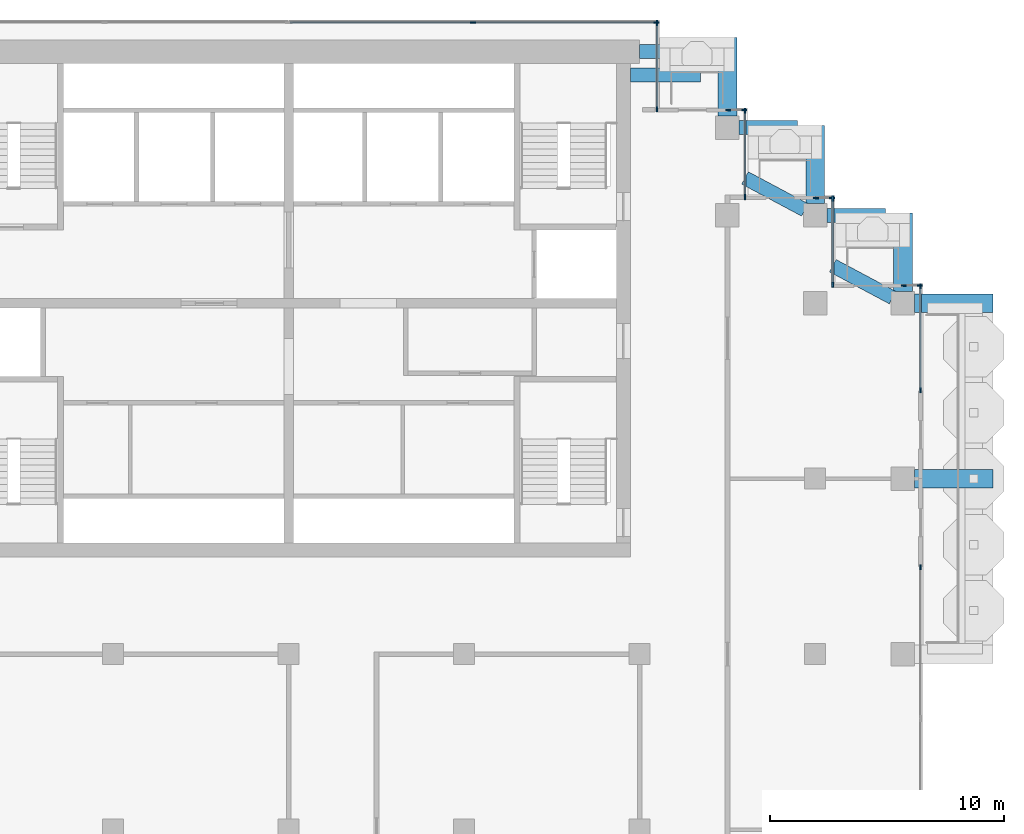
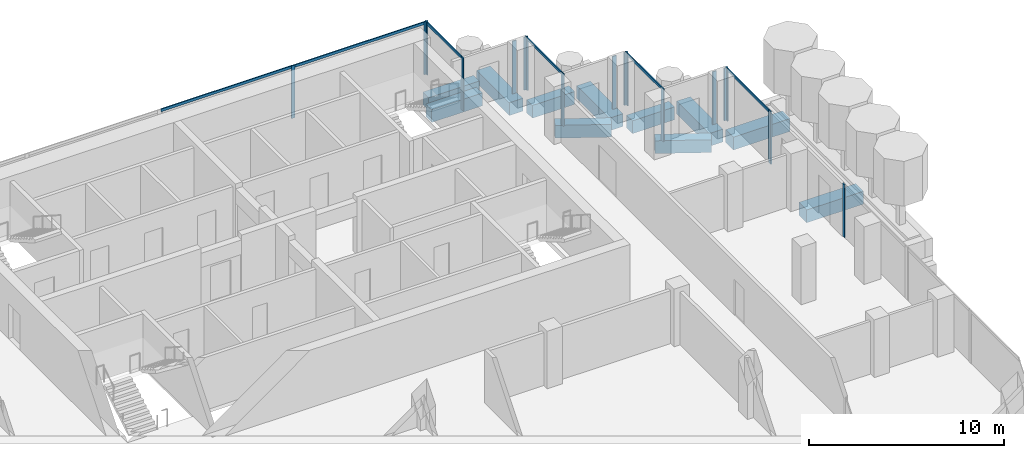
# One storey, part 6 of 18: 23 members, 11 beams, 9 elements without a shape of their own.
"""IFC4 building model written with IfcOpenShell, lengths in metres."""

from ifc_helpers import new_model, si_unit, direction, frame, origin, origin_2d, place, context, subcontext, project, spatial, rectangle, extrude, material, material_profile, profile_set, type_object, element, aggregate, save


model = new_model("IFC4")

# Units and contexts
model_context = context("Model", 3, precision=1e-05, world=origin(), true_north=direction((0.0, 1.0)))
body_context = subcontext(model_context, "Body", "Model", "MODEL_VIEW")
ifc_project = project(units=[si_unit("LENGTHUNIT", "METRE"), si_unit("AREAUNIT", "SQUARE_METRE"), si_unit("VOLUMEUNIT", "CUBIC_METRE"), si_unit("PLANEANGLEUNIT", "RADIAN"), si_unit("MASSUNIT", "GRAM", prefix="KILO")], contexts=[model_context])

# Site, building, storey
site_placement = place(None, origin())
site = spatial("IfcSite", under=ifc_project, at=site_placement, CompositionType="ELEMENT")
building_placement = place(site_placement, origin())
building = spatial("IfcBuilding", under=site, at=building_placement, Name="Pilkhan Gate Tower", CompositionType="ELEMENT")
storey_placement = place(building_placement, frame((0.0, 0.0, 210.300048828125)))
storey = spatial("IfcBuildingStorey", under=building, at=storey_placement, Name="L54", CompositionType="ELEMENT", Elevation=210.300048828125)

# Beams
ifc_material_1 = material(Name="Concrete C50/60", Category="concrete")
ifc_material_profile_1 = material_profile(ifc_material_1, rectangle(XDim=0.60009765625, YDim=0.800048828125, at=origin_2d()), Name="RC 600x800")
ifc_profile_set_1 = profile_set([ifc_material_profile_1], Name="Concrete C50/60")
beam_type_1 = type_object("IfcBeamType", Name="Cantilever beam CB1 RC 600x800 C50/60", PredefinedType="BEAM", material=ifc_profile_set_1)
for number, where, z_axis, x_axis, name in (
    (1, (90.0, 93.25, -0.699951171875), (1.0, 0.0, 0.0), (0.0, 1.0, 0.0), "Balcony beam NE.2 L54"),
    (2, (89.60009765625, 92.25, -0.699951171875), (1.0, 0.0, 0.0), (0.0, 1.0, 0.0), "Balcony beam NE.3 L54"),
):
    element("IfcBeam", number, at=place(storey_placement, frame(where, z_axis=z_axis, x_axis=x_axis)), inside=storey, type_object=beam_type_1, Name=name, PredefinedType="BEAM", context=body_context, shape_type="SweptSolid", body=[
        extrude(rectangle(XDim=0.60009765625, YDim=0.800048828125, at=origin_2d()), origin(), (0.0, 0.0, 1.0), 3.0),
    ])
beam_1_placement = place(storey_placement, frame((94.25, 90.0, -0.699951171875), z_axis=(1.0, 0.0, 0.0), x_axis=(0.0, 1.0, 0.0)))
element("IfcBeam", 3, at=beam_1_placement, inside=storey, type_object=beam_type_1, Name="Balcony beam NE1.2 L54", PredefinedType="BEAM", context=body_context, shape_type="SweptSolid", body=[
    extrude(rectangle(XDim=0.60009765625, YDim=0.800048828125, at=origin_2d()), origin(), (0.0, 0.0, 1.0), 2.5),
])
beam_2_placement = place(storey_placement, frame((97.058837890625, 86.4853515625, -0.699951171875), z_axis=(-0.882348280344, 0.470596974251, 0.0), x_axis=(-0.470596974251, -0.882348280344, 0.0)))
element("IfcBeam", 4, at=beam_2_placement, inside=storey, type_object=beam_type_1, Name="Balcony beam NE1.3 L54", PredefinedType="BEAM", context=body_context, shape_type="SweptSolid", body=[
    extrude(rectangle(XDim=0.60009765625, YDim=0.800048828125, at=origin_2d()), origin(), (0.0, 0.0, 1.0), 2.900146484375),
])
beam_3_placement = place(storey_placement, frame((98.0, 86.25, -0.699951171875), z_axis=(1.0, 0.0, 0.0), x_axis=(0.0, 1.0, 0.0)))
element("IfcBeam", 5, at=beam_3_placement, inside=storey, type_object=beam_type_1, Name="Balcony beam NE2.2 L54", PredefinedType="BEAM", context=body_context, shape_type="SweptSolid", body=[
    extrude(rectangle(XDim=0.60009765625, YDim=0.800048828125, at=origin_2d()), origin(), (0.0, 0.0, 1.0), 2.5),
])
beam_4_placement = place(storey_placement, frame((100.808837890625, 82.7353515625, -0.699951171875), z_axis=(-0.882348280344, 0.470596974251, 0.0), x_axis=(-0.470596974251, -0.882348280344, 0.0)))
element("IfcBeam", 6, at=beam_4_placement, inside=storey, type_object=beam_type_1, Name="Balcony beam NE2.3 L54", PredefinedType="BEAM", context=body_context, shape_type="SweptSolid", body=[
    extrude(rectangle(XDim=0.60009765625, YDim=0.800048828125, at=origin_2d()), origin(), (0.0, 0.0, 1.0), 2.900146484375),
])
ifc_material_profile_2 = material_profile(ifc_material_1, rectangle(XDim=0.800048828125, YDim=0.800048828125, at=origin_2d()), Name="RC 800x800")
ifc_profile_set_2 = profile_set([ifc_material_profile_2], Name="Concrete C50/60")
beam_type_2 = type_object("IfcBeamType", Name="Cantilever beam CB2 RC 800x800 C50/60", PredefinedType="BEAM", material=ifc_profile_set_2)
for number, where, z_axis, x_axis, name in (
    (7, (101.75, 75.0, -0.699951171875), (1.0, 0.0, 0.0), (0.0, 1.0, 0.0), "Balcony beam E.2 L54"),
    (8, (101.75, 82.5, -0.699951171875), (1.0, 0.0, 0.0), (0.0, 1.0, 0.0), "Balcony beam E.3 L54"),
    (9, (93.75, 90.5, -0.699951171875), (0.0, 1.0, 0.0), (-1.0, 0.0, 0.0), "Balcony beam NE.1 L54"),
    (10, (97.5, 86.75, -0.699951171875), (0.0, 1.0, 0.0), (-1.0, 0.0, 0.0), "Balcony beam NE1.1 L54"),
    (11, (101.25, 83.0, -0.699951171875), (0.0, 1.0, 0.0), (-1.0, 0.0, 0.0), "Balcony beam NE2.1 L54"),
):
    element("IfcBeam", number, at=place(storey_placement, frame(where, z_axis=z_axis, x_axis=x_axis)), inside=storey, type_object=beam_type_2, Name=name, PredefinedType="BEAM", context=body_context, shape_type="SweptSolid", body=[
        extrude(rectangle(XDim=0.800048828125, YDim=0.800048828125, at=origin_2d()), origin(), (0.0, 0.0, 1.0), 3.35009765625),
    ])

# Curtain wall, member
ifc_material_2 = material(Name="Pale anodised aluminium, clear low-iron double glazing", Category="aluminium")
curtain_wall_type = type_object("IfcCurtainWallType", Name="Office unitised curtain wall CW-O2", PredefinedType="USERDEFINED", material=ifc_material_2)
curtain_wall_1_placement = place(storey_placement, origin())
curtain_wall_1 = element("IfcCurtainWall", 12, at=curtain_wall_1_placement, inside=storey, type_object=curtain_wall_type, Name="Office unitised curtain wall CW-O2 L54 E", ObjectType="UNITISED CURTAIN WALL", PredefinedType="USERDEFINED")
ifc_material_3 = material(Name="Pale anodised aluminium", Category="aluminium")
ifc_material_profile_3 = material_profile(ifc_material_3, rectangle(XDim=0.06494140625, YDim=0.22509765625, at=origin_2d()), Name="Mullion 225x65")
ifc_profile_set_3 = profile_set([ifc_material_profile_3], Name="Pale anodised aluminium")
member_type_1 = type_object("IfcMemberType", Name="Mullion CW-O2 225x65", PredefinedType="MULLION", material=ifc_profile_set_3)
member_1_placement = place(storey_placement, frame((102.0, 71.217529296875, 0.0), z_axis=(0.0, 0.0, 1.0), x_axis=(-1.0, 0.0, 0.0)))
member_1 = element("IfcMember", 13, at=member_1_placement, type_object=member_type_1, Name="CW-O2 mullion 2", PredefinedType="MULLION", context=body_context, shape_type="SweptSolid", body=[
    extrude(rectangle(XDim=0.06494140625, YDim=0.22509765625, at=origin_2d()), origin(), (0.0, 0.0, 1.0), 3.300048828125),
])
aggregate(curtain_wall_1, [member_1])

# Curtain wall, members
curtain_wall_2_placement = place(storey_placement, origin())
curtain_wall_2 = element("IfcCurtainWall", 14, at=curtain_wall_2_placement, inside=storey, type_object=curtain_wall_type, Name="Office unitised curtain wall CW-O2 L54 E", ObjectType="UNITISED CURTAIN WALL", PredefinedType="USERDEFINED")
member_2_placement = place(storey_placement, frame((102.0, 78.782470703125, 0.0), z_axis=(0.0, 0.0, 1.0), x_axis=(-1.0, 0.0, 0.0)))
member_2 = element("IfcMember", 15, at=member_2_placement, type_object=member_type_1, Name="CW-O2 mullion 1", PredefinedType="MULLION", context=body_context, shape_type="SweptSolid", body=[
    extrude(rectangle(XDim=0.06494140625, YDim=0.22509765625, at=origin_2d()), origin(), (0.0, 0.0, 1.0), 3.300048828125),
])
member_3_placement = place(storey_placement, frame((102.0, 83.217529296875, 0.0), z_axis=(0.0, 0.0, 1.0), x_axis=(-1.0, 0.0, 0.0)))
member_3 = element("IfcMember", 16, at=member_3_placement, type_object=member_type_1, Name="CW-O2 mullion 2", PredefinedType="MULLION", context=body_context, shape_type="SweptSolid", body=[
    extrude(rectangle(XDim=0.06494140625, YDim=0.22509765625, at=origin_2d()), origin(), (0.0, 0.0, 1.0), 3.300048828125),
])

curtain_wall_3_placement = place(storey_placement, origin())
curtain_wall_3 = element("IfcCurtainWall", 17, at=curtain_wall_3_placement, inside=storey, type_object=curtain_wall_type, Name="Office unitised curtain wall CW-O2 L54 N", ObjectType="UNITISED CURTAIN WALL", PredefinedType="USERDEFINED")
member_4_placement = place(storey_placement, frame((101.282470703125, 83.25, 0.0), z_axis=(0.0, 0.0, 1.0), x_axis=(0.0, 1.0, 0.0)))
member_4 = element("IfcMember", 18, at=member_4_placement, type_object=member_type_1, Name="CW-O2 mullion 1", PredefinedType="MULLION", context=body_context, shape_type="SweptSolid", body=[
    extrude(rectangle(XDim=0.06494140625, YDim=0.22509765625, at=origin_2d()), origin(), (0.0, 0.0, 1.0), 3.300048828125),
])
member_5_placement = place(storey_placement, frame((101.967529296875, 83.25, 0.0), z_axis=(0.0, 0.0, 1.0), x_axis=(0.0, 1.0, 0.0)))
member_5 = element("IfcMember", 19, at=member_5_placement, type_object=member_type_1, Name="CW-O2 mullion 2", PredefinedType="MULLION", context=body_context, shape_type="SweptSolid", body=[
    extrude(rectangle(XDim=0.06494140625, YDim=0.22509765625, at=origin_2d()), origin(), (0.0, 0.0, 1.0), 3.300048828125),
])
aggregate(curtain_wall_3, [member_4, member_5])

curtain_wall_4_placement = place(storey_placement, origin())
curtain_wall_4 = element("IfcCurtainWall", 20, at=curtain_wall_4_placement, inside=storey, type_object=curtain_wall_type, Name="Office unitised curtain wall CW-O2 L54 E", ObjectType="UNITISED CURTAIN WALL", PredefinedType="USERDEFINED")
member_6_placement = place(storey_placement, frame((98.25, 83.282470703125, 0.0), z_axis=(0.0, 0.0, 1.0), x_axis=(-1.0, 0.0, 0.0)))
member_6 = element("IfcMember", 21, at=member_6_placement, type_object=member_type_1, Name="CW-O2 mullion 1", PredefinedType="MULLION", context=body_context, shape_type="SweptSolid", body=[
    extrude(rectangle(XDim=0.06494140625, YDim=0.22509765625, at=origin_2d()), origin(), (0.0, 0.0, 1.0), 3.300048828125),
])
member_7_placement = place(storey_placement, frame((98.25, 86.967529296875, 0.0), z_axis=(0.0, 0.0, 1.0), x_axis=(-1.0, 0.0, 0.0)))
member_7 = element("IfcMember", 22, at=member_7_placement, type_object=member_type_1, Name="CW-O2 mullion 2", PredefinedType="MULLION", context=body_context, shape_type="SweptSolid", body=[
    extrude(rectangle(XDim=0.06494140625, YDim=0.22509765625, at=origin_2d()), origin(), (0.0, 0.0, 1.0), 3.300048828125),
])

curtain_wall_5_placement = place(storey_placement, origin())
curtain_wall_5 = element("IfcCurtainWall", 23, at=curtain_wall_5_placement, inside=storey, type_object=curtain_wall_type, Name="Office unitised curtain wall CW-O2 L54 N", ObjectType="UNITISED CURTAIN WALL", PredefinedType="USERDEFINED")
member_8_placement = place(storey_placement, frame((97.532470703125, 87.0, 0.0), z_axis=(0.0, 0.0, 1.0), x_axis=(0.0, 1.0, 0.0)))
member_8 = element("IfcMember", 24, at=member_8_placement, type_object=member_type_1, Name="CW-O2 mullion 1", PredefinedType="MULLION", context=body_context, shape_type="SweptSolid", body=[
    extrude(rectangle(XDim=0.06494140625, YDim=0.22509765625, at=origin_2d()), origin(), (0.0, 0.0, 1.0), 3.300048828125),
])
member_9_placement = place(storey_placement, frame((98.217529296875, 87.0, 0.0), z_axis=(0.0, 0.0, 1.0), x_axis=(0.0, 1.0, 0.0)))
member_9 = element("IfcMember", 25, at=member_9_placement, type_object=member_type_1, Name="CW-O2 mullion 2", PredefinedType="MULLION", context=body_context, shape_type="SweptSolid", body=[
    extrude(rectangle(XDim=0.06494140625, YDim=0.22509765625, at=origin_2d()), origin(), (0.0, 0.0, 1.0), 3.300048828125),
])
aggregate(curtain_wall_5, [member_8, member_9])

curtain_wall_6_placement = place(storey_placement, origin())
curtain_wall_6 = element("IfcCurtainWall", 26, at=curtain_wall_6_placement, inside=storey, type_object=curtain_wall_type, Name="Office unitised curtain wall CW-O2 L54 E", ObjectType="UNITISED CURTAIN WALL", PredefinedType="USERDEFINED")
member_10_placement = place(storey_placement, frame((94.5, 87.032470703125, 0.0), z_axis=(0.0, 0.0, 1.0), x_axis=(-1.0, 0.0, 0.0)))
member_10 = element("IfcMember", 27, at=member_10_placement, type_object=member_type_1, Name="CW-O2 mullion 1", PredefinedType="MULLION", context=body_context, shape_type="SweptSolid", body=[
    extrude(rectangle(XDim=0.06494140625, YDim=0.22509765625, at=origin_2d()), origin(), (0.0, 0.0, 1.0), 3.300048828125),
])
member_11_placement = place(storey_placement, frame((94.5, 90.717529296875, 0.0), z_axis=(0.0, 0.0, 1.0), x_axis=(-1.0, 0.0, 0.0)))
member_11 = element("IfcMember", 28, at=member_11_placement, type_object=member_type_1, Name="CW-O2 mullion 2", PredefinedType="MULLION", context=body_context, shape_type="SweptSolid", body=[
    extrude(rectangle(XDim=0.06494140625, YDim=0.22509765625, at=origin_2d()), origin(), (0.0, 0.0, 1.0), 3.300048828125),
])

curtain_wall_7_placement = place(storey_placement, origin())
curtain_wall_7 = element("IfcCurtainWall", 29, at=curtain_wall_7_placement, inside=storey, type_object=curtain_wall_type, Name="Office unitised curtain wall CW-O2 L54 N", ObjectType="UNITISED CURTAIN WALL", PredefinedType="USERDEFINED")
member_12_placement = place(storey_placement, frame((93.782470703125, 90.75, 0.0), z_axis=(0.0, 0.0, 1.0), x_axis=(0.0, 1.0, 0.0)))
member_12 = element("IfcMember", 30, at=member_12_placement, type_object=member_type_1, Name="CW-O2 mullion 1", PredefinedType="MULLION", context=body_context, shape_type="SweptSolid", body=[
    extrude(rectangle(XDim=0.06494140625, YDim=0.22509765625, at=origin_2d()), origin(), (0.0, 0.0, 1.0), 3.300048828125),
])
member_13_placement = place(storey_placement, frame((94.467529296875, 90.75, 0.0), z_axis=(0.0, 0.0, 1.0), x_axis=(0.0, 1.0, 0.0)))
member_13 = element("IfcMember", 31, at=member_13_placement, type_object=member_type_1, Name="CW-O2 mullion 2", PredefinedType="MULLION", context=body_context, shape_type="SweptSolid", body=[
    extrude(rectangle(XDim=0.06494140625, YDim=0.22509765625, at=origin_2d()), origin(), (0.0, 0.0, 1.0), 3.300048828125),
])
aggregate(curtain_wall_7, [member_12, member_13])

curtain_wall_8_placement = place(storey_placement, origin())
curtain_wall_8 = element("IfcCurtainWall", 32, at=curtain_wall_8_placement, inside=storey, type_object=curtain_wall_type, Name="Office unitised curtain wall CW-O2 L54 E", ObjectType="UNITISED CURTAIN WALL", PredefinedType="USERDEFINED")
member_14_placement = place(storey_placement, frame((90.75, 90.782470703125, 0.0), z_axis=(0.0, 0.0, 1.0), x_axis=(-1.0, 0.0, 0.0)))
member_14 = element("IfcMember", 33, at=member_14_placement, type_object=member_type_1, Name="CW-O2 mullion 1", PredefinedType="MULLION", context=body_context, shape_type="SweptSolid", body=[
    extrude(rectangle(XDim=0.06494140625, YDim=0.22509765625, at=origin_2d()), origin(), (0.0, 0.0, 1.0), 3.300048828125),
])
member_15_placement = place(storey_placement, frame((90.75, 94.467529296875, 0.0), z_axis=(0.0, 0.0, 1.0), x_axis=(-1.0, 0.0, 0.0)))
member_15 = element("IfcMember", 34, at=member_15_placement, type_object=member_type_1, Name="CW-O2 mullion 2", PredefinedType="MULLION", context=body_context, shape_type="SweptSolid", body=[
    extrude(rectangle(XDim=0.06494140625, YDim=0.22509765625, at=origin_2d()), origin(), (0.0, 0.0, 1.0), 3.300048828125),
])

curtain_wall_9_placement = place(storey_placement, origin())
curtain_wall_9 = element("IfcCurtainWall", 35, at=curtain_wall_9_placement, inside=storey, type_object=curtain_wall_type, Name="Office unitised curtain wall CW-O2 L54 N", ObjectType="UNITISED CURTAIN WALL", PredefinedType="USERDEFINED")
member_16_placement = place(storey_placement, frame((82.875, 94.5, 0.0), z_axis=(0.0, 0.0, 1.0), x_axis=(0.0, 1.0, 0.0)))
member_16 = element("IfcMember", 36, at=member_16_placement, type_object=member_type_1, Name="CW-O2 mullion 2", PredefinedType="MULLION", context=body_context, shape_type="SweptSolid", body=[
    extrude(rectangle(XDim=0.06494140625, YDim=0.22509765625, at=origin_2d()), origin(), (0.0, 0.0, 1.0), 3.300048828125),
])
member_17_placement = place(storey_placement, frame((90.717529296875, 94.5, 0.0), z_axis=(0.0, 0.0, 1.0), x_axis=(0.0, 1.0, 0.0)))
member_17 = element("IfcMember", 37, at=member_17_placement, type_object=member_type_1, Name="CW-O2 mullion 3", PredefinedType="MULLION", context=body_context, shape_type="SweptSolid", body=[
    extrude(rectangle(XDim=0.06494140625, YDim=0.22509765625, at=origin_2d()), origin(), (0.0, 0.0, 1.0), 3.300048828125),
])

# Member
ifc_material_profile_4 = material_profile(ifc_material_3, rectangle(XDim=0.06494140625, YDim=0.1650390625, at=origin_2d()), Name="Transom 165x65")
ifc_profile_set_4 = profile_set([ifc_material_profile_4], Name="Pale anodised aluminium")
member_type_2 = type_object("IfcMemberType", Name="Transom CW-O2 165x65", PredefinedType="USERDEFINED", material=ifc_profile_set_4)
member_18_placement = place(storey_placement, frame((102.0, 78.81494140625, 3.217529296875), z_axis=(0.0, 1.0, 0.0), x_axis=(-1.0, 0.0, 0.0)))
member_18 = element("IfcMember", 38, at=member_18_placement, type_object=member_type_2, Name="CW-O2 transom 1", ObjectType="TRANSOM", PredefinedType="USERDEFINED", context=body_context, shape_type="SweptSolid", body=[
    extrude(rectangle(XDim=0.06494140625, YDim=0.1650390625, at=origin_2d()), origin(), (0.0, 0.0, 1.0), 4.3701171875),
])

aggregate(curtain_wall_2, [member_2, member_3, member_18])

member_19_placement = place(storey_placement, frame((98.25, 83.31494140625, 3.217529296875), z_axis=(0.0, 1.0, 0.0), x_axis=(-1.0, 0.0, 0.0)))
member_19 = element("IfcMember", 39, at=member_19_placement, type_object=member_type_2, Name="CW-O2 transom 1", ObjectType="TRANSOM", PredefinedType="USERDEFINED", context=body_context, shape_type="SweptSolid", body=[
    extrude(rectangle(XDim=0.06494140625, YDim=0.1650390625, at=origin_2d()), origin(), (0.0, 0.0, 1.0), 3.6201171875),
])

aggregate(curtain_wall_4, [member_6, member_7, member_19])

member_20_placement = place(storey_placement, frame((94.5, 87.06494140625, 3.217529296875), z_axis=(0.0, 1.0, 0.0), x_axis=(-1.0, 0.0, 0.0)))
member_20 = element("IfcMember", 40, at=member_20_placement, type_object=member_type_2, Name="CW-O2 transom 1", ObjectType="TRANSOM", PredefinedType="USERDEFINED", context=body_context, shape_type="SweptSolid", body=[
    extrude(rectangle(XDim=0.06494140625, YDim=0.1650390625, at=origin_2d()), origin(), (0.0, 0.0, 1.0), 3.6201171875),
])

aggregate(curtain_wall_6, [member_10, member_11, member_20])

member_21_placement = place(storey_placement, frame((90.75, 90.81494140625, 3.217529296875), z_axis=(0.0, 1.0, 0.0), x_axis=(-1.0, 0.0, 0.0)))
member_21 = element("IfcMember", 41, at=member_21_placement, type_object=member_type_2, Name="CW-O2 transom 1", ObjectType="TRANSOM", PredefinedType="USERDEFINED", context=body_context, shape_type="SweptSolid", body=[
    extrude(rectangle(XDim=0.06494140625, YDim=0.1650390625, at=origin_2d()), origin(), (0.0, 0.0, 1.0), 3.6201171875),
])

aggregate(curtain_wall_8, [member_14, member_15, member_21])

member_22_placement = place(storey_placement, frame((75.06494140625, 94.5, 3.217529296875), z_axis=(1.0, 0.0, 0.0), x_axis=(0.0, 1.0, 0.0)))
member_22 = element("IfcMember", 42, at=member_22_placement, type_object=member_type_2, Name="CW-O2 transom 1", ObjectType="TRANSOM", PredefinedType="USERDEFINED", context=body_context, shape_type="SweptSolid", body=[
    extrude(rectangle(XDim=0.06494140625, YDim=0.1650390625, at=origin_2d()), origin(), (0.0, 0.0, 1.0), 7.777587890625),
])

member_23_placement = place(storey_placement, frame((82.907470703125, 94.5, 3.217529296875), z_axis=(1.0, 0.0, 0.0), x_axis=(0.0, 1.0, 0.0)))
member_23 = element("IfcMember", 43, at=member_23_placement, type_object=member_type_2, Name="CW-O2 transom 2", ObjectType="TRANSOM", PredefinedType="USERDEFINED", context=body_context, shape_type="SweptSolid", body=[
    extrude(rectangle(XDim=0.06494140625, YDim=0.1650390625, at=origin_2d()), origin(), (0.0, 0.0, 1.0), 7.777587890625),
])

aggregate(curtain_wall_9, [member_16, member_17, member_22, member_23])

save(model, "model.ifc")
